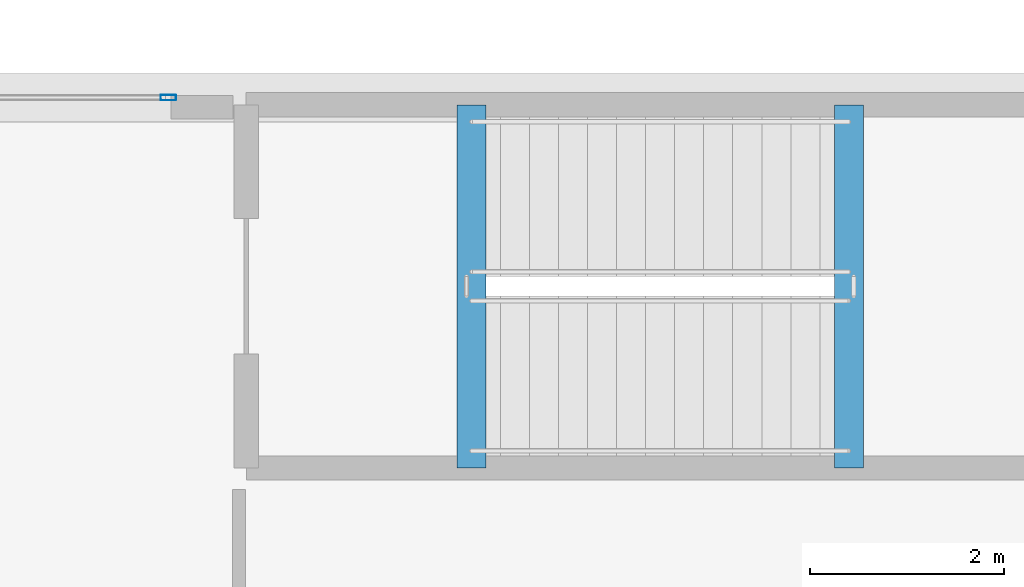
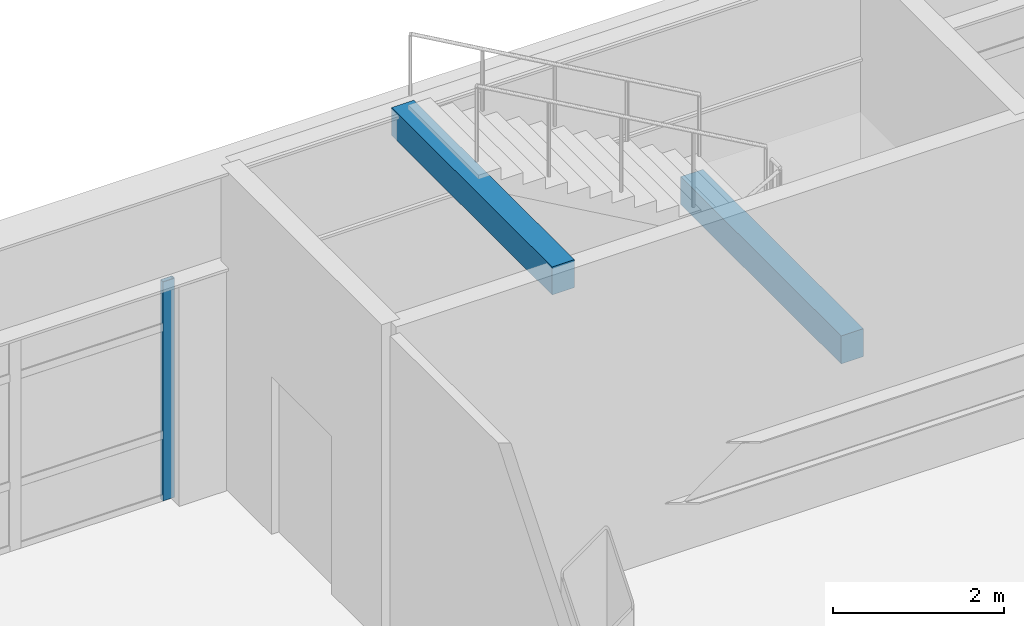
# One storey, part 52 of 172: 2 beams, 1 member, 1 element without a shape of its own.
"""IFC4 building model written with IfcOpenShell, lengths in metres."""

from ifc_helpers import new_model, si_unit, direction, frame, origin, origin_2d, place, context, subcontext, project, spatial, rectangle, hollow_rectangle, extrude, material, layer, layer_set, material_profile, profile_set, type_object, element, aggregate, save


model = new_model("IFC4")

# Units and contexts
model_context = context("Model", 3, precision=1e-05, world=origin(), true_north=direction((0.0, 1.0)))
body_context = subcontext(model_context, "Body", "Model", "MODEL_VIEW")
ifc_project = project(units=[si_unit("LENGTHUNIT", "METRE"), si_unit("AREAUNIT", "SQUARE_METRE"), si_unit("VOLUMEUNIT", "CUBIC_METRE"), si_unit("PLANEANGLEUNIT", "RADIAN"), si_unit("MASSUNIT", "GRAM", prefix="KILO")], contexts=[model_context])

# Site, building, storey
site_placement = place(None, origin())
site = spatial("IfcSite", under=ifc_project, at=site_placement, CompositionType="ELEMENT")
building_placement = place(site_placement, origin())
building = spatial("IfcBuilding", under=site, at=building_placement, Name="Kazehara Bluff Congress Hotel", CompositionType="ELEMENT")
storey_placement = place(building_placement, frame((0.0, 0.0, 5.39990234375)))
storey = spatial("IfcBuildingStorey", under=building, at=storey_placement, Name="L01", CompositionType="ELEMENT", Elevation=5.39990234375)

# Curtain wall, member
ifc_material_1 = material(Name="Anodised aluminium", Category="aluminium")
ifc_layer = layer(ifc_material_1, 0.159912109375)
ifc_layer_set = layer_set([ifc_layer], Name="Anodised aluminium")
curtain_wall_type = type_object("IfcCurtainWallType", Name="TP-CW-70", PredefinedType="NOTDEFINED", material=ifc_layer_set)
curtain_wall_placement = place(storey_placement, origin())
curtain_wall = element("IfcCurtainWall", 1, at=curtain_wall_placement, inside=storey, type_object=curtain_wall_type, Name="L01 curtain wall CW-70 CW-V4-L01-Y5645-6860", PredefinedType="NOTDEFINED")
ifc_material_2 = material(Name="Anodised aluminium", Category="aluminium")
ifc_material_profile_1 = material_profile(ifc_material_2, hollow_rectangle(XDim=0.06005859375, YDim=0.159912109375, WallThickness=0.00390625, InnerFilletRadius=0.00390625, OuterFilletRadius=0.008056640625, at=origin_2d()))
ifc_profile_set_1 = profile_set([ifc_material_profile_1], Name="Anodised aluminium")
member_type = type_object("IfcMemberType", Name="TP-CWM-01", PredefinedType="MULLION", material=ifc_profile_set_1)
member_placement = place(storey_placement, frame((74.8701171875, 56.449951171875, 0.0), z_axis=(0.0, 0.0, 1.0), x_axis=(0.0, 1.0, 0.0)))
member = element("IfcMember", 2, at=member_placement, type_object=member_type, Name="CW-70 mullion 4", PredefinedType="MULLION", context=body_context, shape_type="SweptSolid", body=[
    extrude(hollow_rectangle(XDim=0.06005859375, YDim=0.159912109375, WallThickness=0.00390625, InnerFilletRadius=0.00390625, OuterFilletRadius=0.008056640625, at=origin_2d()), origin(), (0.0, 0.0, 1.0), 3.125),
])
aggregate(curtain_wall, [member])

# Beams
ifc_material_3 = material(Name="Concrete C40/50", Category="concrete")
ifc_material_profile_2 = material_profile(ifc_material_3, rectangle(XDim=0.300048828125, YDim=0.39990234375, at=origin_2d()))
ifc_profile_set_2 = profile_set([ifc_material_profile_2], Name="Concrete C40/50")
beam_type = type_object("IfcBeamType", Name="TP-LN-02", PredefinedType="LINTEL", material=ifc_profile_set_2)
for number, where, z_axis, x_axis, name in (
    (3, (81.89990234375, 52.625, 2.02001953125), (0.0, 1.0, 0.0), (-1.0, 0.0, 0.0), "L01 ST-09 half-landing support beam 1"),
    (4, (78.0, 52.625, 4.3701171875), (0.0, 1.0, 0.0), (-1.0, 0.0, 0.0), "L02 ST-09 stairwell trimmer beam"),
):
    element("IfcBeam", number, at=place(storey_placement, frame(where, z_axis=z_axis, x_axis=x_axis)), inside=storey, type_object=beam_type, Name=name, PredefinedType="LINTEL", context=body_context, shape_type="SweptSolid", body=[
        extrude(rectangle(XDim=0.300048828125, YDim=0.39990234375, at=origin_2d()), origin(), (0.0, 0.0, 1.0), 3.75),
    ])

save(model, "model.ifc")
